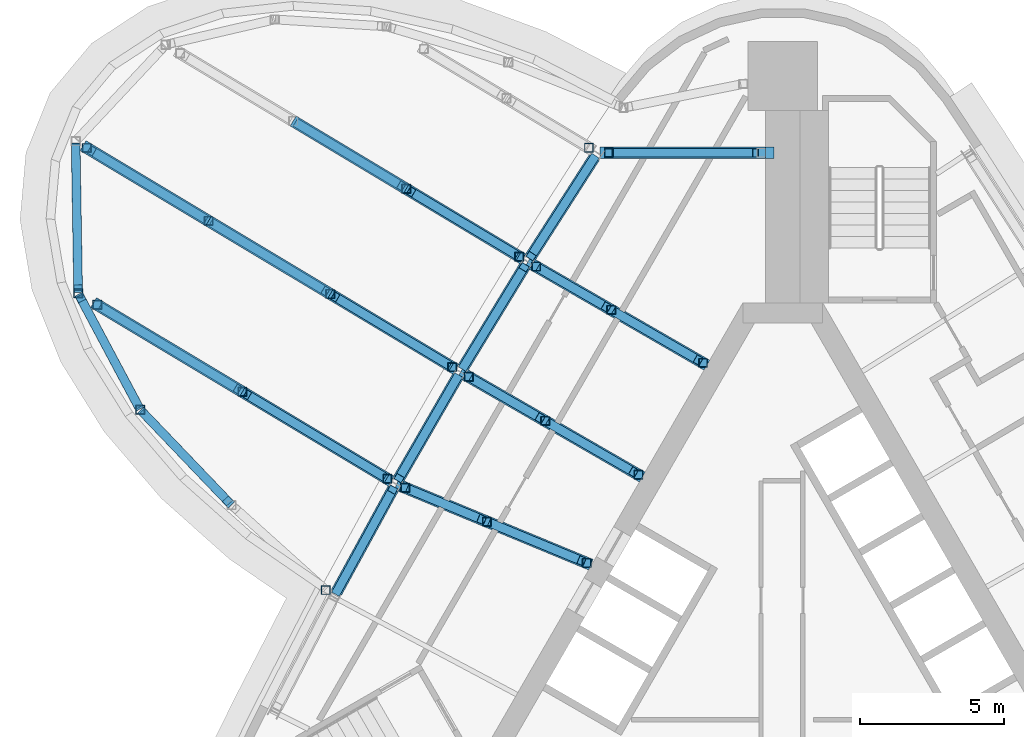
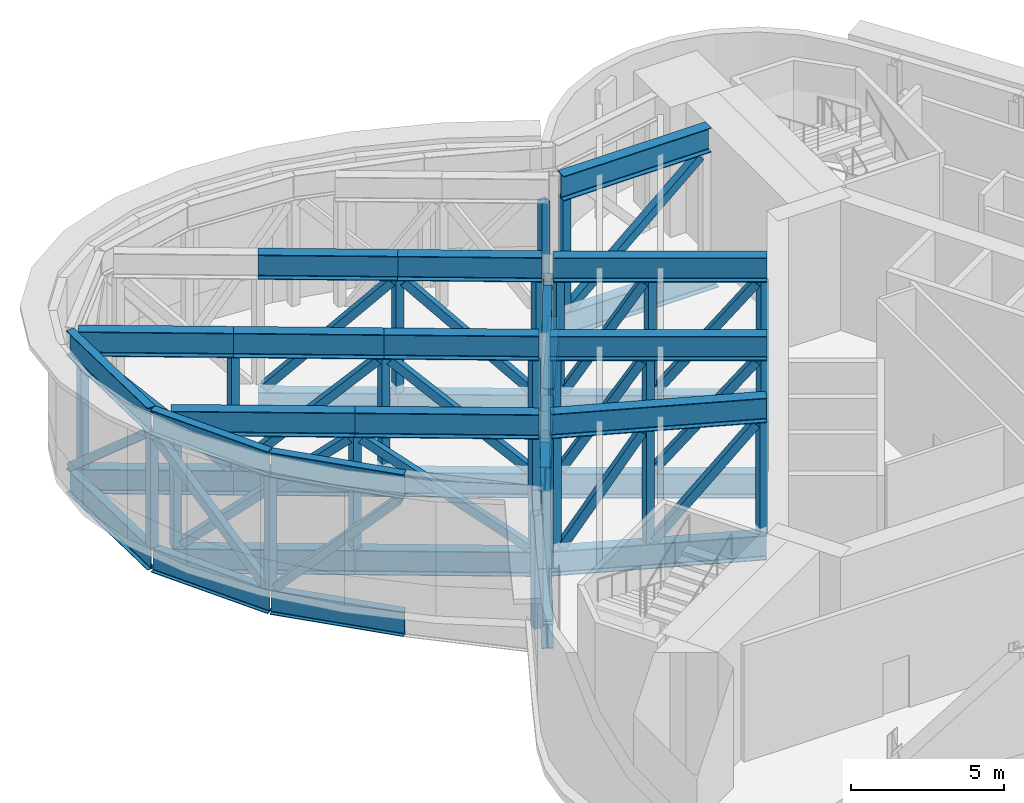
# One storey, part 3 of 11: 72 members, 4 beams.
"""IFC4 building model written with IfcOpenShell, lengths in metres."""

from ifc_helpers import new_model, si_unit, direction, frame, origin, origin_2d, place, context, subcontext, project, spatial, hollow_rectangle, i_section, extrude, material, material_profile, profile_set, type_object, element, save


model = new_model("IFC4")

# Units and contexts
model_context = context("Model", 3, precision=1e-05, world=origin(), true_north=direction((0.0, 1.0)))
body_context = subcontext(model_context, "Body", "Model", "MODEL_VIEW")
ifc_project = project(units=[si_unit("LENGTHUNIT", "METRE"), si_unit("AREAUNIT", "SQUARE_METRE"), si_unit("VOLUMEUNIT", "CUBIC_METRE"), si_unit("PLANEANGLEUNIT", "RADIAN"), si_unit("MASSUNIT", "GRAM", prefix="KILO")], contexts=[model_context])

# Site, building, storey
site_placement = place(None, origin())
site = spatial("IfcSite", under=ifc_project, at=site_placement, CompositionType="ELEMENT")
building_placement = place(site_placement, origin())
building = spatial("IfcBuilding", under=site, at=building_placement, Name="Noor Cloister Tower", CompositionType="ELEMENT")
storey_placement = place(building_placement, frame((0.0, 0.0, 258.0)))
storey = spatial("IfcBuildingStorey", under=building, at=storey_placement, Name="L66", CompositionType="ELEMENT", Elevation=258.0)

# Beams
ifc_material_1 = material(Name="Steel ASTM A992 Gr 50", Category="steel")
ifc_material_profile_1 = material_profile(ifc_material_1, i_section(OverallWidth=0.40087890625, OverallDepth=0.98291015625, WebThickness=0.0166015625, FlangeThickness=0.027099609375, FilletRadius=0.030029296875, at=origin_2d()), Name="W1000x296")
ifc_profile_set_1 = profile_set([ifc_material_profile_1], Name="Steel ASTM A992 Gr 50")
beam_type = type_object("IfcBeamType", Name="Belt chord girder W1000x296", PredefinedType="BEAM", material=ifc_profile_set_1)
for number, where, z_axis, x_axis, name in (
    (1, (-6.541748046875, 16.50927734375, -0.79150390625), (-0.539635932385, -0.841898485851, 0.0), (0.841898485851, -0.539635932385, 0.0), "Spandrel beam NW 01 L66"),
    (2, (-8.95947265625, 12.729248046875, -0.79150390625), (-0.51992813058, -0.85421000874, 0.0), (0.85421000874, -0.51992813058, 0.0), "Spandrel beam NW 02 L66"),
    (3, (-11.288818359375, 8.89404296875, -0.79150390625), (-0.500004836318, -0.866022611517, 0.0), (0.866022611517, -0.500004836318, 0.0), "Spandrel beam NW 03 L66"),
    (4, (-13.52880859375, 5.006103515625, -0.79150390625), (-0.479770251557, -0.87739415642, 0.0), (0.87739415642, -0.479770251557, 0.0), "Spandrel beam NW 04 L66"),
):
    element("IfcBeam", number, at=place(storey_placement, frame(where, z_axis=z_axis, x_axis=x_axis)), inside=storey, type_object=beam_type, Name=name, PredefinedType="BEAM", context=body_context, shape_type="SweptSolid", body=[
        extrude(i_section(OverallWidth=0.40087890625, OverallDepth=0.98291015625, WebThickness=0.0166015625, FlangeThickness=0.027099609375, FilletRadius=0.030029296875, at=origin_2d()), origin(), (0.0, 0.0, 1.0), 4.1162109375),
    ])

# Members
ifc_material_2 = material(Name="Steel ASTM A500 Gr C", Category="steel")
ifc_material_profile_2 = material_profile(ifc_material_2, hollow_rectangle(XDim=0.304931640625, YDim=0.304931640625, WallThickness=0.0126953125, at=origin_2d()), Name="HSS304.8x304.8x12.7")
ifc_profile_set_2 = profile_set([ifc_material_profile_2], Name="Steel ASTM A500 Gr C")
member_type_1 = type_object("IfcMemberType", Name="Belt truss diagonal HSS304.8x304.8x12.7", PredefinedType="BRACE", material=ifc_profile_set_2)
for number, where, z_axis, x_axis, name in (
    (5, (-6.564697265625, 16.473388671875, -0.19580078125), (-0.368673865397, -0.575189158573, 0.730230794224), (0.841903832272, -0.53962759122, 0.0), "Belt truss diagonal NW 01 L66"),
    (6, (-11.07763671875, 9.24951171875, -0.19580078125), (0.355226427, 0.583589228469, 0.730231331823), (-0.854199725131, 0.519945025542, 0.0), "Belt truss diagonal NW 02 L66"),
    (7, (-11.31005859375, 8.857177734375, -0.19580078125), (-0.341613822201, -0.591658920016, 0.73023264707), (0.866013116976, -0.500021280772, 0.0), "Belt truss diagonal NW 03 L66"),
    (8, (-15.483154296875, 1.431884765625, -0.19580078125), (0.327791355853, 0.599433649613, 0.730227448635), (-0.87738587884, 0.479785389119, 0.0), "Belt truss diagonal NW 04 L66"),
):
    element("IfcMember", number, at=place(storey_placement, frame(where, z_axis=z_axis, x_axis=x_axis)), inside=storey, type_object=member_type_1, Name=name, PredefinedType="BRACE", context=body_context, shape_type="SweptSolid", body=[
        extrude(hollow_rectangle(XDim=0.304931640625, YDim=0.304931640625, WallThickness=0.0126953125, at=origin_2d()), origin(), (0.0, 0.0, 1.0), 5.900390625),
    ])
ifc_material_3 = material(Name="Steel ASTM A992 Gr 50", Category="steel")
ifc_material_profile_3 = material_profile(ifc_material_3, i_section(OverallWidth=0.300048828125, OverallDepth=0.97998046875, WebThickness=0.0166015625, FlangeThickness=0.026123046875, FilletRadius=0.02978515625, at=origin_2d()), Name="W1000x249")
ifc_profile_set_3 = profile_set([ifc_material_profile_3], Name="Steel ASTM A992 Gr 50")
member_type_2 = type_object("IfcMemberType", Name="Pod ring chord W1000x249", PredefinedType="CHORD", material=ifc_profile_set_3)
for number, where, z_axis, x_axis, name in (
    (9, (-24.55908203125, 17.009765625, -0.7900390625), (0.016658079846, -0.999861244561, 0.0), (0.999861244561, 0.016658079846, 0.0), "Pod truss 5 bottom chord ring 7"),
    (10, (-24.55908203125, 17.009765625, 4.7099609375), (0.016658079846, -0.999861244561, 0.0), (0.999861244561, 0.016658079846, 0.0), "Pod truss 5 top chord ring 7"),
):
    element("IfcMember", number, at=place(storey_placement, frame(where, z_axis=z_axis, x_axis=x_axis)), inside=storey, type_object=member_type_2, Name=name, PredefinedType="CHORD", context=body_context, shape_type="SweptSolid", body=[
        extrude(i_section(OverallWidth=0.300048828125, OverallDepth=0.97998046875, WebThickness=0.0166015625, FlangeThickness=0.026123046875, FilletRadius=0.02978515625, at=origin_2d()), origin(), (0.0, 0.0, 1.0), 5.188232421875),
    ])
for number, where, z_axis, x_axis, name in (
    (11, (-24.455078125, 11.754150390625, -0.7900390625), (0.470456482447, -0.882423196728, 0.0), (0.882423196728, 0.470456482447, 0.0), "Pod truss 5 bottom chord ring 8"),
    (12, (-24.455078125, 11.754150390625, 4.7099609375), (0.470456482447, -0.882423196728, 0.0), (0.882423196728, 0.470456482447, 0.0), "Pod truss 5 top chord ring 8"),
):
    element("IfcMember", number, at=place(storey_placement, frame(where, z_axis=z_axis, x_axis=x_axis)), inside=storey, type_object=member_type_2, Name=name, PredefinedType="CHORD", context=body_context, shape_type="SweptSolid", body=[
        extrude(i_section(OverallWidth=0.300048828125, OverallDepth=0.97998046875, WebThickness=0.0166015625, FlangeThickness=0.026123046875, FilletRadius=0.02978515625, at=origin_2d()), origin(), (0.0, 0.0, 1.0), 4.5205078125),
    ])
for number, where, z_axis, x_axis, name in (
    (13, (-22.304443359375, 7.731689453125, -0.7900390625), (0.691494842016, -0.722381397508, 0.0), (0.722381397508, 0.691494842016, 0.0), "Pod truss 5 bottom chord ring 9"),
    (14, (-22.304443359375, 7.731689453125, 4.7099609375), (0.691494842016, -0.722381397508, 0.0), (0.722381397508, 0.691494842016, 0.0), "Pod truss 5 top chord ring 9"),
):
    element("IfcMember", number, at=place(storey_placement, frame(where, z_axis=z_axis, x_axis=x_axis)), inside=storey, type_object=member_type_2, Name=name, PredefinedType="CHORD", context=body_context, shape_type="SweptSolid", body=[
        extrude(i_section(OverallWidth=0.300048828125, OverallDepth=0.97998046875, WebThickness=0.0166015625, FlangeThickness=0.026123046875, FilletRadius=0.02978515625, at=origin_2d()), origin(), (0.0, 0.0, 1.0), 4.560791015625),
    ])
ifc_material_4 = material(Name="Steel ASTM A992 Gr 50", Category="steel")
ifc_material_profile_4 = material_profile(ifc_material_4, i_section(OverallWidth=0.40087890625, OverallDepth=0.98291015625, WebThickness=0.0166015625, FlangeThickness=0.027099609375, FilletRadius=0.030029296875, at=origin_2d()), Name="W1000x296")
ifc_profile_set_4 = profile_set([ifc_material_profile_4], Name="Steel ASTM A992 Gr 50")
member_type_3 = type_object("IfcMemberType", Name="Pod truss chord W1000x296", PredefinedType="CHORD", material=ifc_profile_set_4)
member_1_placement = place(storey_placement, frame((-6.34130859375, 16.66552734375, -0.79150390625), z_axis=(1.0, 0.0, 0.0), x_axis=(0.0, 1.0, 0.0)))
element("IfcMember", 15, at=member_1_placement, inside=storey, type_object=member_type_3, Name="Pod truss 5 bottom chord line 1 back span", PredefinedType="CHORD", context=body_context, shape_type="SweptSolid", body=[
    extrude(i_section(OverallWidth=0.40087890625, OverallDepth=0.98291015625, WebThickness=0.0166015625, FlangeThickness=0.027099609375, FilletRadius=0.030029296875, at=origin_2d()), origin(), (0.0, 0.0, 1.0), 6.041259765625),
])
member_2_placement = place(storey_placement, frame((-6.18896484375, 16.66552734375, 4.70849609375), z_axis=(1.0, 0.0, 0.0), x_axis=(0.0, 1.0, 0.0)))
element("IfcMember", 16, at=member_2_placement, inside=storey, type_object=member_type_3, Name="Pod truss 5 top chord line 1 back span", PredefinedType="CHORD", context=body_context, shape_type="SweptSolid", body=[
    extrude(i_section(OverallWidth=0.40087890625, OverallDepth=0.98291015625, WebThickness=0.0166015625, FlangeThickness=0.027099609375, FilletRadius=0.030029296875, at=origin_2d()), origin(), (0.0, 0.0, 1.0), 5.5888671875),
])
member_3_placement = place(storey_placement, frame((-9.176025390625, 13.075439453125, -0.79150390625), z_axis=(-0.857559197633, 0.514385286098, 0.0), x_axis=(-0.514385286098, -0.857559197633, 0.0)))
element("IfcMember", 17, at=member_3_placement, inside=storey, type_object=member_type_3, Name="Pod truss 5 bottom chord line 2 cantilever 1", PredefinedType="CHORD", context=body_context, shape_type="SweptSolid", body=[
    extrude(i_section(OverallWidth=0.40087890625, OverallDepth=0.98291015625, WebThickness=0.0166015625, FlangeThickness=0.027099609375, FilletRadius=0.030029296875, at=origin_2d()), origin(), (0.0, 0.0, 1.0), 4.55029296875),
])
member_4_placement = place(storey_placement, frame((-9.020751953125, 12.982177734375, 4.70849609375), z_axis=(-0.857547556628, 0.514404692943, 0.0), x_axis=(-0.514404692943, -0.857547556628, 0.0)))
element("IfcMember", 18, at=member_4_placement, inside=storey, type_object=member_type_3, Name="Pod truss 5 top chord line 2 cantilever 1", PredefinedType="CHORD", context=body_context, shape_type="SweptSolid", body=[
    extrude(i_section(OverallWidth=0.40087890625, OverallDepth=0.98291015625, WebThickness=0.0166015625, FlangeThickness=0.027099609375, FilletRadius=0.030029296875, at=origin_2d()), origin(), (0.0, 0.0, 1.0), 4.7314453125),
])
for number, where, z_axis, x_axis, name in (
    (19, (-13.078125, 15.416015625, -0.79150390625), (-0.857572892929, 0.514362453251, 0.0), (-0.514362453251, -0.857572892929, 0.0), "Pod truss 5 bottom chord line 2 cantilever 2"),
    (20, (-13.078125, 15.416015625, 4.70849609375), (-0.857572892929, 0.514362453251, 0.0), (-0.514362453251, -0.857572892929, 0.0), "Pod truss 5 top chord line 2 cantilever 2"),
):
    element("IfcMember", number, at=place(storey_placement, frame(where, z_axis=z_axis, x_axis=x_axis)), inside=storey, type_object=member_type_3, Name=name, PredefinedType="CHORD", context=body_context, shape_type="SweptSolid", body=[
        extrude(i_section(OverallWidth=0.40087890625, OverallDepth=0.98291015625, WebThickness=0.0166015625, FlangeThickness=0.027099609375, FilletRadius=0.030029296875, at=origin_2d()), origin(), (0.0, 0.0, 1.0), 4.578857421875),
    ])
member_5_placement = place(storey_placement, frame((-8.85205078125, 12.88134765625, -0.79150390625), z_axis=(0.866020209003, -0.500008997517, 0.0), x_axis=(0.500008997517, 0.866020209003, 0.0)))
element("IfcMember", 21, at=member_5_placement, inside=storey, type_object=member_type_3, Name="Pod truss 5 bottom chord line 2 back span", PredefinedType="CHORD", context=body_context, shape_type="SweptSolid", body=[
    extrude(i_section(OverallWidth=0.40087890625, OverallDepth=0.98291015625, WebThickness=0.0166015625, FlangeThickness=0.027099609375, FilletRadius=0.030029296875, at=origin_2d()), origin(), (0.0, 0.0, 1.0), 7.178466796875),
])
member_6_placement = place(storey_placement, frame((-8.701171875, 12.794189453125, 4.70849609375), z_axis=(0.866023061175, -0.500004057496, 0.0), x_axis=(0.500004057496, 0.866023061175, 0.0)))
element("IfcMember", 22, at=member_6_placement, inside=storey, type_object=member_type_3, Name="Pod truss 5 top chord line 2 back span", PredefinedType="CHORD", context=body_context, shape_type="SweptSolid", body=[
    extrude(i_section(OverallWidth=0.40087890625, OverallDepth=0.98291015625, WebThickness=0.0166015625, FlangeThickness=0.027099609375, FilletRadius=0.030029296875, at=origin_2d()), origin(), (0.0, 0.0, 1.0), 7.00439453125),
])
member_7_placement = place(storey_placement, frame((-11.506103515625, 9.24072265625, -0.79150390625), z_axis=(-0.857563195617, 0.514378620788, 0.0), x_axis=(-0.514378620788, -0.857563195617, 0.0)))
element("IfcMember", 23, at=member_7_placement, inside=storey, type_object=member_type_3, Name="Pod truss 5 bottom chord line 3 cantilever 1", PredefinedType="CHORD", context=body_context, shape_type="SweptSolid", body=[
    extrude(i_section(OverallWidth=0.40087890625, OverallDepth=0.98291015625, WebThickness=0.0166015625, FlangeThickness=0.027099609375, FilletRadius=0.030029296875, at=origin_2d()), origin(), (0.0, 0.0, 1.0), 4.904296875),
])
member_8_placement = place(storey_placement, frame((-11.351806640625, 9.148193359375, 4.70849609375), z_axis=(-0.857564945274, 0.514375703778, 0.0), x_axis=(-0.514375703778, -0.857564945274, 0.0)))
element("IfcMember", 24, at=member_8_placement, inside=storey, type_object=member_type_3, Name="Pod truss 5 top chord line 3 cantilever 1", PredefinedType="CHORD", context=body_context, shape_type="SweptSolid", body=[
    extrude(i_section(OverallWidth=0.40087890625, OverallDepth=0.98291015625, WebThickness=0.0166015625, FlangeThickness=0.027099609375, FilletRadius=0.030029296875, at=origin_2d()), origin(), (0.0, 0.0, 1.0), 5.084228515625),
])
for number, where, z_axis, x_axis, name in (
    (25, (-15.7119140625, 11.763427734375, -0.79150390625), (-0.857567169308, 0.51437199586, 0.0), (-0.51437199586, -0.857567169308, 0.0), "Pod truss 5 bottom chord line 3 cantilever 2"),
    (26, (-15.7119140625, 11.763427734375, 4.70849609375), (-0.857567169308, 0.51437199586, 0.0), (-0.51437199586, -0.857567169308, 0.0), "Pod truss 5 top chord line 3 cantilever 2"),
):
    element("IfcMember", number, at=place(storey_placement, frame(where, z_axis=z_axis, x_axis=x_axis)), inside=storey, type_object=member_type_3, Name=name, PredefinedType="CHORD", context=body_context, shape_type="SweptSolid", body=[
        extrude(i_section(OverallWidth=0.40087890625, OverallDepth=0.98291015625, WebThickness=0.0166015625, FlangeThickness=0.027099609375, FilletRadius=0.030029296875, at=origin_2d()), origin(), (0.0, 0.0, 1.0), 4.931884765625),
    ])
for number, where, z_axis, x_axis, name in (
    (27, (-19.94140625, 14.30029296875, -0.79150390625), (-0.857564945274, 0.514375703778, 0.0), (-0.514375703778, -0.857564945274, 0.0), "Pod truss 5 bottom chord line 3 cantilever 3"),
    (28, (-19.94140625, 14.30029296875, 4.70849609375), (-0.857564945274, 0.514375703778, 0.0), (-0.514375703778, -0.857564945274, 0.0), "Pod truss 5 top chord line 3 cantilever 3"),
):
    element("IfcMember", number, at=place(storey_placement, frame(where, z_axis=z_axis, x_axis=x_axis)), inside=storey, type_object=member_type_3, Name=name, PredefinedType="CHORD", context=body_context, shape_type="SweptSolid", body=[
        extrude(i_section(OverallWidth=0.40087890625, OverallDepth=0.98291015625, WebThickness=0.0166015625, FlangeThickness=0.027099609375, FilletRadius=0.030029296875, at=origin_2d()), origin(), (0.0, 0.0, 1.0), 5.084228515625),
    ])
member_9_placement = place(storey_placement, frame((-11.187744140625, 9.050048828125, -0.79150390625), z_axis=(0.866011479119, -0.500024117452, 0.0), x_axis=(0.500024117452, 0.866011479119, 0.0)))
element("IfcMember", 29, at=member_9_placement, inside=storey, type_object=member_type_3, Name="Pod truss 5 bottom chord line 3 back span", PredefinedType="CHORD", context=body_context, shape_type="SweptSolid", body=[
    extrude(i_section(OverallWidth=0.40087890625, OverallDepth=0.98291015625, WebThickness=0.0166015625, FlangeThickness=0.027099609375, FilletRadius=0.030029296875, at=origin_2d()), origin(), (0.0, 0.0, 1.0), 7.285888671875),
])
member_10_placement = place(storey_placement, frame((-11.0380859375, 8.96337890625, 4.70849609375), z_axis=(0.866027256294, -0.499996791345, 0.0), x_axis=(0.499996791345, 0.866027256294, 0.0)))
element("IfcMember", 30, at=member_10_placement, inside=storey, type_object=member_type_3, Name="Pod truss 5 top chord line 3 back span", PredefinedType="CHORD", context=body_context, shape_type="SweptSolid", body=[
    extrude(i_section(OverallWidth=0.40087890625, OverallDepth=0.98291015625, WebThickness=0.0166015625, FlangeThickness=0.027099609375, FilletRadius=0.030029296875, at=origin_2d()), origin(), (0.0, 0.0, 1.0), 7.11279296875),
])
member_11_placement = place(storey_placement, frame((-13.753173828125, 5.35693359375, -0.79150390625), z_axis=(-0.857573965873, 0.514360664375, 0.0), x_axis=(-0.514360664375, -0.857573965873, 0.0)))
element("IfcMember", 31, at=member_11_placement, inside=storey, type_object=member_type_3, Name="Pod truss 5 bottom chord line 4 cantilever 1", PredefinedType="CHORD", context=body_context, shape_type="SweptSolid", body=[
    extrude(i_section(OverallWidth=0.40087890625, OverallDepth=0.98291015625, WebThickness=0.0166015625, FlangeThickness=0.027099609375, FilletRadius=0.030029296875, at=origin_2d()), origin(), (0.0, 0.0, 1.0), 5.84716796875),
])
member_12_placement = place(storey_placement, frame((-13.598876953125, 5.26416015625, 4.70849609375), z_axis=(-0.857557252422, 0.51438852905, 0.0), x_axis=(-0.51438852905, -0.857557252422, 0.0)))
element("IfcMember", 32, at=member_12_placement, inside=storey, type_object=member_type_3, Name="Pod truss 5 top chord line 4 cantilever 1", PredefinedType="CHORD", context=body_context, shape_type="SweptSolid", body=[
    extrude(i_section(OverallWidth=0.40087890625, OverallDepth=0.98291015625, WebThickness=0.0166015625, FlangeThickness=0.027099609375, FilletRadius=0.030029296875, at=origin_2d()), origin(), (0.0, 0.0, 1.0), 6.02734375),
])
for number, where, z_axis, x_axis, name in (
    (33, (-18.767578125, 8.364501953125, -0.79150390625), (-0.857564402979, 0.51437660789, 0.0), (-0.51437660789, -0.857564402979, 0.0), "Pod truss 5 bottom chord line 4 cantilever 2"),
    (34, (-18.767578125, 8.364501953125, 4.70849609375), (-0.857564402979, 0.51437660789, 0.0), (-0.51437660789, -0.857564402979, 0.0), "Pod truss 5 top chord line 4 cantilever 2"),
):
    element("IfcMember", number, at=place(storey_placement, frame(where, z_axis=z_axis, x_axis=x_axis)), inside=storey, type_object=member_type_3, Name=name, PredefinedType="CHORD", context=body_context, shape_type="SweptSolid", body=[
        extrude(i_section(OverallWidth=0.40087890625, OverallDepth=0.98291015625, WebThickness=0.0166015625, FlangeThickness=0.027099609375, FilletRadius=0.030029296875, at=origin_2d()), origin(), (0.0, 0.0, 1.0), 6.02685546875),
    ])
member_13_placement = place(storey_placement, frame((-13.412109375, 5.1572265625, -0.79150390625), z_axis=(0.923886024048, -0.382667760033, 0.0), x_axis=(0.382667760033, 0.923886024048, 0.0)))
element("IfcMember", 35, at=member_13_placement, inside=storey, type_object=member_type_3, Name="Pod truss 5 bottom chord line 4 back span", PredefinedType="CHORD", context=body_context, shape_type="SweptSolid", body=[
    extrude(i_section(OverallWidth=0.40087890625, OverallDepth=0.98291015625, WebThickness=0.0166015625, FlangeThickness=0.027099609375, FilletRadius=0.030029296875, at=origin_2d()), origin(), (0.0, 0.0, 1.0), 7.3017578125),
])
member_14_placement = place(storey_placement, frame((-13.253662109375, 5.091796875, 4.70849609375), z_axis=(0.923876198091, -0.382691482269, 0.0), x_axis=(0.382691482269, 0.923876198091, 0.0)))
element("IfcMember", 36, at=member_14_placement, inside=storey, type_object=member_type_3, Name="Pod truss 5 top chord line 4 back span", PredefinedType="CHORD", context=body_context, shape_type="SweptSolid", body=[
    extrude(i_section(OverallWidth=0.40087890625, OverallDepth=0.98291015625, WebThickness=0.0166015625, FlangeThickness=0.027099609375, FilletRadius=0.030029296875, at=origin_2d()), origin(), (0.0, 0.0, 1.0), 7.13037109375),
])
ifc_material_5 = material(Name="Steel ASTM A500 Gr C", Category="steel")
ifc_material_profile_5 = material_profile(ifc_material_5, hollow_rectangle(XDim=0.304931640625, YDim=0.304931640625, WallThickness=0.0126953125, at=origin_2d()), Name="HSS304.8x304.8x12.7")
ifc_profile_set_5 = profile_set([ifc_material_profile_5], Name="Steel ASTM A500 Gr C")
member_type_4 = type_object("IfcMemberType", Name="Pod truss diagonal HSS304.8x304.8x12.7", PredefinedType="BRACE", material=ifc_profile_set_5)
member_15_placement = place(storey_placement, frame((-24.556884765625, 16.873046875, -0.185302734375), z_axis=(0.012534153088, -0.751561329006, 0.659544133284), x_axis=(0.999860959744, 0.016675166553, 0.0)))
element("IfcMember", 37, at=member_15_placement, inside=storey, type_object=member_type_4, Name="Pod truss 5 diagonal ring 7", PredefinedType="BRACE", context=body_context, shape_type="SweptSolid", body=[
    extrude(hollow_rectangle(XDim=0.304931640625, YDim=0.304931640625, WallThickness=0.0126953125, at=origin_2d()), origin(), (0.0, 0.0, 1.0), 6.505615234375),
])
member_16_placement = place(storey_placement, frame((-24.379150390625, 11.61181640625, 4.11376953125), z_axis=(0.327695822863, -0.614729550818, -0.717442002555), x_axis=(0.88244825515, 0.47040947799, 0.0)))
element("IfcMember", 38, at=member_16_placement, inside=storey, type_object=member_type_4, Name="Pod truss 5 diagonal ring 8", PredefinedType="BRACE", context=body_context, shape_type="SweptSolid", body=[
    extrude(hollow_rectangle(XDim=0.304931640625, YDim=0.304931640625, WallThickness=0.0126953125, at=origin_2d()), origin(), (0.0, 0.0, 1.0), 6.004150390625),
])
member_17_placement = place(storey_placement, frame((-22.18212890625, 7.60400390625, -0.193603515625), z_axis=(0.482280793346, -0.503849992476, 0.716617346603), x_axis=(0.722400232042, 0.691475165675, 0.0)))
element("IfcMember", 39, at=member_17_placement, inside=storey, type_object=member_type_4, Name="Pod truss 5 diagonal ring 9", PredefinedType="BRACE", context=body_context, shape_type="SweptSolid", body=[
    extrude(hollow_rectangle(XDim=0.304931640625, YDim=0.304931640625, WallThickness=0.0126953125, at=origin_2d()), origin(), (0.0, 0.0, 1.0), 6.01025390625),
])
member_18_placement = place(storey_placement, frame((-5.839111328125, 16.66552734375, -0.185302734375), z_axis=(0.751845961184, 0.0, 0.659338798078), x_axis=(0.0, 1.0, 0.0)))
element("IfcMember", 40, at=member_18_placement, inside=storey, type_object=member_type_4, Name="Pod truss 5 diagonal line 1 back span 1", PredefinedType="BRACE", context=body_context, shape_type="SweptSolid", body=[
    extrude(hollow_rectangle(XDim=0.304931640625, YDim=0.304931640625, WallThickness=0.0126953125, at=origin_2d()), origin(), (0.0, 0.0, 1.0), 6.5029296875),
])
member_19_placement = place(storey_placement, frame((-9.32080078125, 13.162353515625, -0.193603515625), z_axis=(-0.597762457859, 0.35848665058, 0.717054645986), x_axis=(-0.514315539006, -0.857601029813, 0.0)))
element("IfcMember", 41, at=member_19_placement, inside=storey, type_object=member_type_4, Name="Pod truss 5 diagonal line 2 cantilever 1", PredefinedType="BRACE", context=body_context, shape_type="SweptSolid", body=[
    extrude(hollow_rectangle(XDim=0.304931640625, YDim=0.304931640625, WallThickness=0.0126953125, at=origin_2d()), origin(), (0.0, 0.0, 1.0), 6.002685546875),
])
member_20_placement = place(storey_placement, frame((-13.24755859375, 15.517578125, 4.110595703125), z_axis=(-0.597727601525, 0.358530811612, -0.717061623223), x_axis=(-0.514384193326, -0.857559853104, 0.0)))
element("IfcMember", 42, at=member_20_placement, inside=storey, type_object=member_type_4, Name="Pod truss 5 diagonal line 2 cantilever 2", PredefinedType="BRACE", context=body_context, shape_type="SweptSolid", body=[
    extrude(hollow_rectangle(XDim=0.304931640625, YDim=0.304931640625, WallThickness=0.0126953125, at=origin_2d()), origin(), (0.0, 0.0, 1.0), 6.00244140625),
])
member_21_placement = place(storey_placement, frame((-8.398193359375, 12.619140625, -0.221435546875), z_axis=(0.446051945085, -0.257513040501, 0.857160834533), x_axis=(0.499977909603, 0.866038157305, 0.0)))
element("IfcMember", 43, at=member_21_placement, inside=storey, type_object=member_type_4, Name="Pod truss 5 diagonal line 2 back span 1", PredefinedType="BRACE", context=body_context, shape_type="SweptSolid", body=[
    extrude(hollow_rectangle(XDim=0.304931640625, YDim=0.304931640625, WallThickness=0.0126953125, at=origin_2d()), origin(), (0.0, 0.0, 1.0), 5.08642578125),
])
member_22_placement = place(storey_placement, frame((-5.787353515625, 11.11181640625, -0.207763671875), z_axis=(0.523703787466, -0.302356021609, 0.796439061819), x_axis=(0.499994417569, 0.866028626779, 0.0)))
element("IfcMember", 44, at=member_22_placement, inside=storey, type_object=member_type_4, Name="Pod truss 5 diagonal line 2 back span 2", PredefinedType="BRACE", context=body_context, shape_type="SweptSolid", body=[
    extrude(hollow_rectangle(XDim=0.304931640625, YDim=0.304931640625, WallThickness=0.0126953125, at=origin_2d()), origin(), (0.0, 0.0, 1.0), 5.43994140625),
])
member_23_placement = place(storey_placement, frame((-11.65185546875, 9.328125, -0.189208984375), z_axis=(-0.622728370701, 0.373535422661, 0.687517755655), x_axis=(-0.514392875049, -0.857554645547, 0.0)))
element("IfcMember", 45, at=member_23_placement, inside=storey, type_object=member_type_4, Name="Pod truss 5 diagonal line 3 cantilever 1", PredefinedType="BRACE", context=body_context, shape_type="SweptSolid", body=[
    extrude(hollow_rectangle(XDim=0.304931640625, YDim=0.304931640625, WallThickness=0.0126953125, at=origin_2d()), origin(), (0.0, 0.0, 1.0), 6.247802734375),
])
for number, where, z_axis, x_axis, name in (
    (46, (-15.88134765625, 11.864990234375, 4.106201171875), (-0.62273746013, 0.373501797435, -0.687527790758), (-0.514353299757, -0.857578383023, 0.0), "Pod truss 5 diagonal line 3 cantilever 2"),
    (47, (-20.11083984375, 14.40185546875, -0.189208984375), (-0.62273746013, 0.373501797435, 0.687527790758), (-0.514353299757, -0.857578383023, 0.0), "Pod truss 5 diagonal line 3 cantilever 3"),
):
    element("IfcMember", number, at=place(storey_placement, frame(where, z_axis=z_axis, x_axis=x_axis)), inside=storey, type_object=member_type_4, Name=name, PredefinedType="BRACE", context=body_context, shape_type="SweptSolid", body=[
        extrude(hollow_rectangle(XDim=0.304931640625, YDim=0.304931640625, WallThickness=0.0126953125, at=origin_2d()), origin(), (0.0, 0.0, 1.0), 6.24755859375),
    ])
member_24_placement = place(storey_placement, frame((-10.73486328125, 8.788330078125, -0.220458984375), z_axis=(0.452254510038, -0.261099820131, 0.852814600061), x_axis=(0.499986437991, 0.866033233673, 0.0)))
element("IfcMember", 48, at=member_24_placement, inside=storey, type_object=member_type_4, Name="Pod truss 5 diagonal line 3 back span 1", PredefinedType="BRACE", context=body_context, shape_type="SweptSolid", body=[
    extrude(hollow_rectangle(XDim=0.304931640625, YDim=0.304931640625, WallThickness=0.0126953125, at=origin_2d()), origin(), (0.0, 0.0, 1.0), 5.110107421875),
])
member_25_placement = place(storey_placement, frame((-8.081787109375, 7.256591796875, -0.206787109375), z_axis=(0.529799442257, -0.305883364852, 0.791042298548), x_axis=(0.50000430835, 0.866022916343, 0.0)))
element("IfcMember", 49, at=member_25_placement, inside=storey, type_object=member_type_4, Name="Pod truss 5 diagonal line 3 back span 2", PredefinedType="BRACE", context=body_context, shape_type="SweptSolid", body=[
    extrude(hollow_rectangle(XDim=0.304931640625, YDim=0.304931640625, WallThickness=0.0126953125, at=origin_2d()), origin(), (0.0, 0.0, 1.0), 5.474609375),
])
for number, where, z_axis, x_axis, name in (
    (50, (-13.899169921875, 5.4443359375, -0.1796875), (-0.676053174894, 0.405484379434, 0.61525159305), (-0.514358148406, -0.857575474911, 0.0), "Pod truss 5 diagonal line 4 cantilever 1"),
    (51, (-18.936767578125, 8.466064453125, 4.0966796875), (-0.676072245472, 0.405474750713, -0.615236983151), (-0.514338495188, -0.857587262247, 0.0), "Pod truss 5 diagonal line 4 cantilever 2"),
):
    element("IfcMember", number, at=place(storey_placement, frame(where, z_axis=z_axis, x_axis=x_axis)), inside=storey, type_object=member_type_4, Name=name, PredefinedType="BRACE", context=body_context, shape_type="SweptSolid", body=[
        extrude(hollow_rectangle(XDim=0.304931640625, YDim=0.304931640625, WallThickness=0.0126953125, at=origin_2d()), origin(), (0.0, 0.0, 1.0), 6.95068359375),
    ])
member_26_placement = place(storey_placement, frame((-12.930419921875, 4.957763671875, -0.22021484375), z_axis=(0.483570835008, -0.200274425201, 0.852085325622), x_axis=(0.382639118778, 0.923897886555, 0.0)))
element("IfcMember", 52, at=member_26_placement, inside=storey, type_object=member_type_4, Name="Pod truss 5 diagonal line 4 back span 1", PredefinedType="BRACE", context=body_context, shape_type="SweptSolid", body=[
    extrude(hollow_rectangle(XDim=0.304931640625, YDim=0.304931640625, WallThickness=0.0126953125, at=origin_2d()), origin(), (0.0, 0.0, 1.0), 5.11376953125),
])
member_27_placement = place(storey_placement, frame((-10.0927734375, 3.782470703125, -0.20654296875), z_axis=(0.566298501988, -0.234591560059, 0.790109363693), x_axis=(0.382715515529, 0.923866242577, 0.0)))
element("IfcMember", 53, at=member_27_placement, inside=storey, type_object=member_type_4, Name="Pod truss 5 diagonal line 4 back span 2", PredefinedType="BRACE", context=body_context, shape_type="SweptSolid", body=[
    extrude(hollow_rectangle(XDim=0.304931640625, YDim=0.304931640625, WallThickness=0.0126953125, at=origin_2d()), origin(), (0.0, 0.0, 1.0), 5.48046875),
])
ifc_material_6 = material(Name="Steel ASTM A500 Gr C", Category="steel")
ifc_material_profile_6 = material_profile(ifc_material_6, hollow_rectangle(XDim=0.304931640625, YDim=0.304931640625, WallThickness=0.0126953125, at=origin_2d()), Name="HSS304.8x304.8x12.7")
ifc_profile_set_6 = profile_set([ifc_material_profile_6], Name="Steel ASTM A500 Gr C")
member_type_5 = type_object("IfcMemberType", Name="Pod truss post HSS304.8x304.8x12.7", PredefinedType="POST", material=ifc_profile_set_6)
for number, where, z_axis, x_axis, name in (
    (54, (-24.47216796875, 11.7861328125, -0.300048828125), (0.0, 0.0, 1.0), (1.0, 0.0, 0.0), "Pod truss 5 post ring node 7"),
    (55, (-22.318603515625, 7.746826171875, -0.300048828125), (0.0, 0.0, 1.0), (1.0, 0.0, 0.0), "Pod truss 5 post ring node 8"),
    (56, (-15.869140625, 1.481201171875, -0.300048828125), (0.0, 0.0, 1.0), (1.0, 0.0, 0.0), "Pod truss 5 post ring node 10"),
):
    element("IfcMember", number, at=place(storey_placement, frame(where, z_axis=z_axis, x_axis=x_axis)), inside=storey, type_object=member_type_5, Name=name, PredefinedType="POST", context=body_context, shape_type="SweptSolid", body=[
        extrude(hollow_rectangle(XDim=0.304931640625, YDim=0.304931640625, WallThickness=0.0126953125, at=origin_2d()), origin(), (0.0, 0.0, 1.0), 4.52001953125),
    ])
for number, where, z_axis, x_axis, name in (
    (57, (-6.733642578125, 16.840576171875, -0.300048828125), (0.0, 0.0, 1.0), (1.0, 0.0, 0.0), "Pod truss 5 post line 1 cantilever 1"),
    (58, (-6.03662109375, 16.66552734375, -0.300048828125), (0.0, 0.0, 1.0), (1.0, 0.0, 0.0), "Pod truss 5 post line 1 back span 1"),
    (59, (-9.1513671875, 13.060546875, -0.300048828125), (0.0, 0.0, 1.0), (1.0, 0.0, 0.0), "Pod truss 5 post line 2 cantilever 1"),
    (60, (-13.078125, 15.416015625, -0.300048828125), (0.0, 0.0, 1.0), (1.0, 0.0, 0.0), "Pod truss 5 post line 2 cantilever 2"),
    (61, (-8.569091796875, 12.718017578125, -0.300048828125), (0.0, 0.0, 1.0), (1.0, 0.0, 0.0), "Pod truss 5 post line 2 back span 1"),
    (62, (-5.958251953125, 11.210693359375, -0.300048828125), (0.0, 0.0, 1.0), (1.0, 0.0, 0.0), "Pod truss 5 post line 2 back span 2"),
    (63, (-2.767333984375, 9.3681640625, -0.300048828125), (0.0, 0.0, 1.0), (1.0, 0.0, 0.0), "Pod truss 5 post line 2 back span 3"),
    (64, (-11.482421875, 9.2265625, -0.300048828125), (0.0, 0.0, 1.0), (1.0, 0.0, 0.0), "Pod truss 5 post line 3 cantilever 1"),
    (65, (-15.7119140625, 11.763427734375, -0.300048828125), (0.0, 0.0, 1.0), (1.0, 0.0, 0.0), "Pod truss 5 post line 3 cantilever 2"),
    (66, (-19.94140625, 14.30029296875, -0.300048828125), (0.0, 0.0, 1.0), (1.0, 0.0, 0.0), "Pod truss 5 post line 3 cantilever 3"),
    (67, (-24.1708984375, 16.8369140625, -0.300048828125), (0.0, 0.0, 1.0), (1.0, 0.0, 0.0), "Pod truss 5 post line 3 cantilever 4"),
    (68, (-10.906005859375, 8.88720703125, -0.300048828125), (0.0, 0.0, 1.0), (1.0, 0.0, 0.0), "Pod truss 5 post line 3 back span 1"),
    (69, (-8.2529296875, 7.35546875, -0.300048828125), (0.0, 0.0, 1.0), (1.0, 0.0, 0.0), "Pod truss 5 post line 3 back span 2"),
    (70, (-5.01025390625, 5.4833984375, -0.300048828125), (0.0, 0.0, 1.0), (1.0, 0.0, 0.0), "Pod truss 5 post line 3 back span 3"),
    (71, (-13.729736328125, 5.3427734375, -0.300048828125), (0.0, 0.0, 1.0), (1.0, 0.0, 0.0), "Pod truss 5 post line 4 cantilever 1"),
    (72, (-18.767578125, 8.364501953125, -0.300048828125), (0.0, 0.0, 1.0), (1.0, 0.0, 0.0), "Pod truss 5 post line 4 cantilever 2"),
    (73, (-23.80517578125, 11.385986328125, -0.300048828125), (0.0, 0.0, 1.0), (1.0, 0.0, 0.0), "Pod truss 5 post line 4 cantilever 3"),
    (74, (-13.11279296875, 5.033447265625, -0.300048828125), (0.0, 0.0, 1.0), (1.0, 0.0, 0.0), "Pod truss 5 post line 4 back span 1"),
    (75, (-10.275146484375, 3.85791015625, -0.300048828125), (0.0, 0.0, 1.0), (1.0, 0.0, 0.0), "Pod truss 5 post line 4 back span 2"),
    (76, (-6.806884765625, 2.42138671875, -0.300048828125), (0.0, 0.0, 1.0), (1.0, 0.0, 0.0), "Pod truss 5 post line 4 back span 3"),
):
    element("IfcMember", number, at=place(storey_placement, frame(where, z_axis=z_axis, x_axis=x_axis)), inside=storey, type_object=member_type_5, Name=name, PredefinedType="POST", context=body_context, shape_type="SweptSolid", body=[
        extrude(hollow_rectangle(XDim=0.304931640625, YDim=0.304931640625, WallThickness=0.0126953125, at=origin_2d()), origin(), (0.0, 0.0, 1.0), 4.51708984375),
    ])

save(model, "model.ifc")
